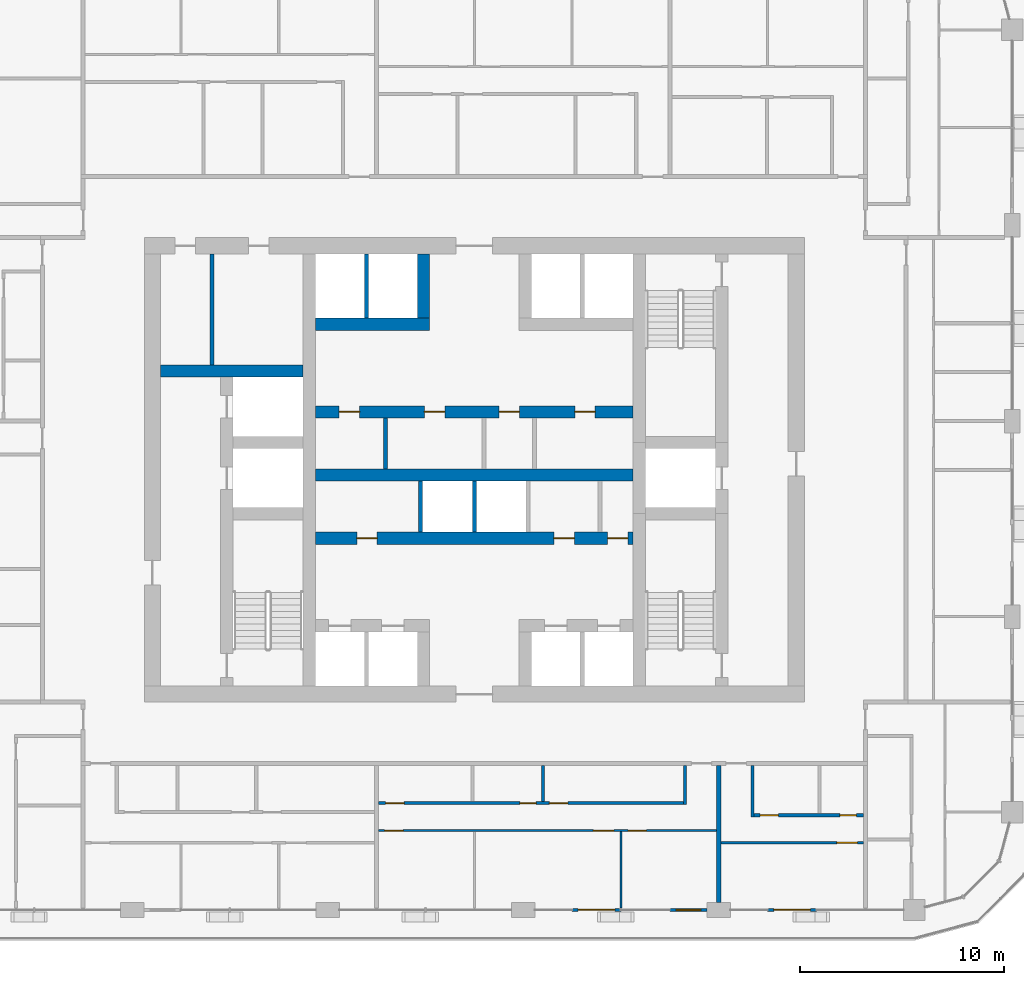
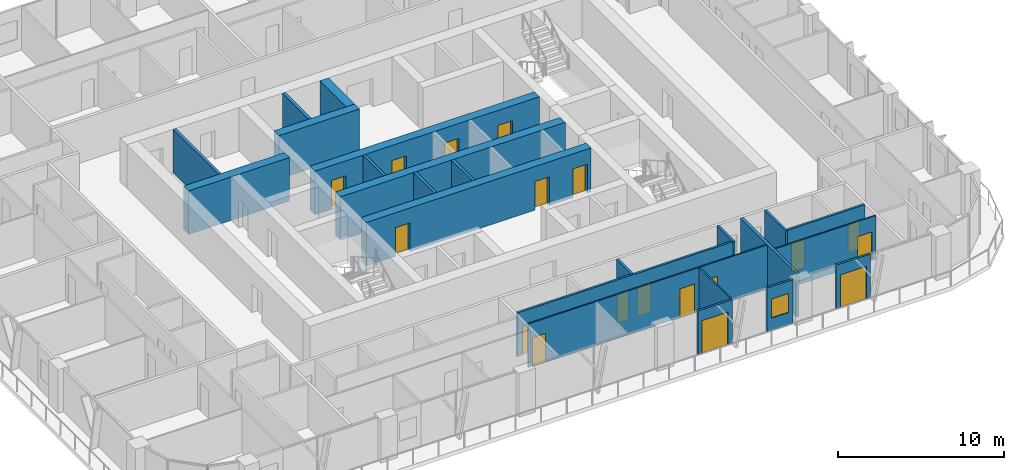
# One storey, part 11 of 22: 23 walls, 18 doors, 1 window, 19 openings.
"""IFC4 building model written with IfcOpenShell, lengths in metres."""

from ifc_helpers import new_model, si_unit, direction, frame, frame_2d, origin, place, context, subcontext, project, spatial, rectangle, extrude, material, layer, layer_set, type_object, element, fill, save


model = new_model("IFC4")

# Units and contexts
model_context = context("Model", 3, precision=1e-05, world=origin(), true_north=direction((0.0, 1.0)))
body_context = subcontext(model_context, "Body", "Model", "MODEL_VIEW")
ifc_project = project(units=[si_unit("LENGTHUNIT", "METRE"), si_unit("AREAUNIT", "SQUARE_METRE"), si_unit("VOLUMEUNIT", "CUBIC_METRE"), si_unit("PLANEANGLEUNIT", "RADIAN"), si_unit("MASSUNIT", "GRAM", prefix="KILO")], contexts=[model_context])

# Site, building, storey
site_placement = place(None, origin())
site = spatial("IfcSite", under=ifc_project, at=site_placement, CompositionType="ELEMENT")
building_placement = place(site_placement, origin())
building = spatial("IfcBuilding", under=site, at=building_placement, Name="Madar Terraces", CompositionType="ELEMENT")
storey_placement = place(building_placement, frame((0.0, 0.0, 126.10009765625)))
storey = spatial("IfcBuildingStorey", under=building, at=storey_placement, Name="L32", CompositionType="ELEMENT", Elevation=126.10009765625)

# Wall
ifc_material_1 = material(Name="Concrete C70/85", Category="concrete")
ifc_layer_1 = layer(ifc_material_1, 0.60009765625)
ifc_layer_set_1 = layer_set([ifc_layer_1], Name="Concrete C70/85 (CIW3 RC wall 600)")
wall_type_1 = type_object("IfcWallType", Name="CIW3 RC wall 600", PredefinedType="SHEAR", material=ifc_layer_set_1)
wall_1_placement = place(storey_placement, frame((15.800048828125, 31.25, 0.0), z_axis=(0.0, 0.0, 1.0), x_axis=(1.0, 0.0, 0.0)))
element("IfcWall", 1, at=wall_1_placement, inside=storey, type_object=wall_type_1, Name="CORE SHAFT WALL", PredefinedType="SHEAR", context=body_context, shape_type="SweptSolid", body=[
    extrude(rectangle(XDim=7.0, YDim=0.60009765625, at=frame_2d((3.5, 0.0))), origin(), (0.0, 0.0, 1.0), 3.199951171875),
])

# Wall, openings, doors
wall_2_placement = place(storey_placement, frame((23.39990234375, 23.050048828125, 0.0), z_axis=(0.0, 0.0, 1.0), x_axis=(1.0, 0.0, 0.0)))
wall_2 = element("IfcWall", 2, at=wall_2_placement, inside=storey, type_object=wall_type_1, Name="CORE SHAFT WALL", PredefinedType="SHEAR", context=body_context, shape_type="SweptSolid", body=[
    extrude(rectangle(XDim=15.60009765625, YDim=0.60009765625, at=frame_2d((7.800048828125, 0.0))), origin(), (0.0, 0.0, 1.0), 3.199951171875),
])
opening_1_placement = place(wall_2_placement, frame((2.033447265625, 0.0, 0.0)))
opening_1 = element("IfcOpeningElement", 3, at=opening_1_placement, cuts=wall_2, Name="Opening KD2", PredefinedType="OPENING", context=body_context, shape_type="SweptSolid", body=[
    extrude(rectangle(XDim=1.0, YDim=2.10009765625, at=frame_2d((0.5, 1.050048828125))), frame((0.0, 0.31005859375, 0.0), z_axis=(0.0, -1.0, 0.0), x_axis=(1.0, 0.0, 0.0)), (0.0, 0.0, 1.0), 0.6201171875),
])
opening_2_placement = place(wall_2_placement, frame((11.7060546875, 0.0, 0.0)))
opening_2 = element("IfcOpeningElement", 4, at=opening_2_placement, cuts=wall_2, Name="Opening KD2", PredefinedType="OPENING", context=body_context, shape_type="SweptSolid", body=[
    extrude(rectangle(XDim=1.0, YDim=2.10009765625, at=frame_2d((0.5, 1.050048828125))), frame((0.0, 0.31005859375, 0.0), z_axis=(0.0, -1.0, 0.0), x_axis=(1.0, 0.0, 0.0)), (0.0, 0.0, 1.0), 0.6201171875),
])
opening_3_placement = place(wall_2_placement, frame((14.33935546875, 0.0, 0.0)))
opening_3 = element("IfcOpeningElement", 5, at=opening_3_placement, cuts=wall_2, Name="Opening KD2", PredefinedType="OPENING", context=body_context, shape_type="SweptSolid", body=[
    extrude(rectangle(XDim=1.0, YDim=2.10009765625, at=frame_2d((0.5, 1.050048828125))), frame((0.0, 0.31005859375, 0.0), z_axis=(0.0, -1.0, 0.0), x_axis=(1.0, 0.0, 0.0)), (0.0, 0.0, 1.0), 0.6201171875),
])
ifc_material_2 = material(Name="Steel door leaf", Category="steel")
door_type_1 = type_object("IfcDoorType", Name="Service room door 1000 x 2100", OperationType="NOTDEFINED", PredefinedType="DOOR", material=ifc_material_2)
door_1_placement = place(opening_1_placement, frame((1.0, 0.0, 0.0), z_axis=(0.0, 0.0, 1.0), x_axis=(-1.0, 0.0, 0.0)))
door_1 = element("IfcDoor", 6, at=door_1_placement, inside=storey, type_object=door_type_1, Name="SERVICE ROOM DOOR", OperationType="SINGLE_SWING_LEFT", OverallHeight=2.10009765625, OverallWidth=1.0, PredefinedType="DOOR", context=body_context, shape_type="SweptSolid", body=[
    extrude(rectangle(XDim=1.0, YDim=2.10009765625, at=frame_2d((0.5, 1.050048828125))), frame((0.0, 0.02490234375, 0.0), z_axis=(0.0, -1.0, 0.0), x_axis=(1.0, 0.0, 0.0)), (0.0, 0.0, 1.0), 0.050048828125),
])
fill(opening_1, door_1)
door_2_placement = place(opening_2_placement, frame((1.0, 0.0, 0.0), z_axis=(0.0, 0.0, 1.0), x_axis=(-1.0, 0.0, 0.0)))
door_2 = element("IfcDoor", 7, at=door_2_placement, inside=storey, type_object=door_type_1, Name="SERVICE ROOM DOOR", OperationType="SINGLE_SWING_RIGHT", OverallHeight=2.10009765625, OverallWidth=1.0, PredefinedType="DOOR", context=body_context, shape_type="SweptSolid", body=[
    extrude(rectangle(XDim=1.0, YDim=2.10009765625, at=frame_2d((0.5, 1.050048828125))), frame((0.0, 0.02490234375, 0.0), z_axis=(0.0, -1.0, 0.0), x_axis=(1.0, 0.0, 0.0)), (0.0, 0.0, 1.0), 0.050048828125),
])
fill(opening_2, door_2)
door_3_placement = place(opening_3_placement, frame((1.0, 0.0, 0.0), z_axis=(0.0, 0.0, 1.0), x_axis=(-1.0, 0.0, 0.0)))
door_3 = element("IfcDoor", 8, at=door_3_placement, inside=storey, type_object=door_type_1, Name="SERVICE ROOM DOOR", OperationType="SINGLE_SWING_LEFT", OverallHeight=2.10009765625, OverallWidth=1.0, PredefinedType="DOOR", context=body_context, shape_type="SweptSolid", body=[
    extrude(rectangle(XDim=1.0, YDim=2.10009765625, at=frame_2d((0.5, 1.050048828125))), frame((0.0, 0.02490234375, 0.0), z_axis=(0.0, -1.0, 0.0), x_axis=(1.0, 0.0, 0.0)), (0.0, 0.0, 1.0), 0.050048828125),
])
fill(opening_3, door_3)

# Wall
wall_3_placement = place(storey_placement, frame((23.39990234375, 26.14990234375, 0.0), z_axis=(0.0, 0.0, 1.0), x_axis=(1.0, 0.0, 0.0)))
element("IfcWall", 9, at=wall_3_placement, inside=storey, type_object=wall_type_1, Name="CORE SHAFT WALL", PredefinedType="SHEAR", context=body_context, shape_type="SweptSolid", body=[
    extrude(rectangle(XDim=15.60009765625, YDim=0.60009765625, at=frame_2d((7.800048828125, 0.0))), origin(), (0.0, 0.0, 1.0), 3.199951171875),
])

# Wall, openings, doors
wall_4_placement = place(storey_placement, frame((23.39990234375, 29.25, 0.0), z_axis=(0.0, 0.0, 1.0), x_axis=(1.0, 0.0, 0.0)))
wall_4 = element("IfcWall", 10, at=wall_4_placement, inside=storey, type_object=wall_type_1, Name="CORE SHAFT WALL", PredefinedType="SHEAR", context=body_context, shape_type="SweptSolid", body=[
    extrude(rectangle(XDim=15.60009765625, YDim=0.60009765625, at=frame_2d((7.800048828125, 0.0))), origin(), (0.0, 0.0, 1.0), 3.199951171875),
])
opening_4_placement = place(wall_4_placement, frame((1.166015625, 0.0, 0.0)))
opening_4 = element("IfcOpeningElement", 11, at=opening_4_placement, cuts=wall_4, Name="Opening KD2", PredefinedType="OPENING", context=body_context, shape_type="SweptSolid", body=[
    extrude(rectangle(XDim=1.0, YDim=2.10009765625, at=frame_2d((0.5, 1.050048828125))), frame((0.0, 0.31005859375, 0.0), z_axis=(0.0, -1.0, 0.0), x_axis=(1.0, 0.0, 0.0)), (0.0, 0.0, 1.0), 0.6201171875),
])
opening_5_placement = place(wall_4_placement, frame((5.35009765625, 0.0, 0.0)))
opening_5 = element("IfcOpeningElement", 12, at=opening_5_placement, cuts=wall_4, Name="Opening KD2", PredefinedType="OPENING", context=body_context, shape_type="SweptSolid", body=[
    extrude(rectangle(XDim=1.0, YDim=2.10009765625, at=frame_2d((0.5, 1.050048828125))), frame((0.0, 0.31005859375, 0.0), z_axis=(0.0, -1.0, 0.0), x_axis=(1.0, 0.0, 0.0)), (0.0, 0.0, 1.0), 0.6201171875),
])
opening_6_placement = place(wall_4_placement, frame((9.01611328125, 0.0, 0.0)))
opening_6 = element("IfcOpeningElement", 13, at=opening_6_placement, cuts=wall_4, Name="Opening KD2", PredefinedType="OPENING", context=body_context, shape_type="SweptSolid", body=[
    extrude(rectangle(XDim=1.0, YDim=2.10009765625, at=frame_2d((0.5, 1.050048828125))), frame((0.0, 0.31005859375, 0.0), z_axis=(0.0, -1.0, 0.0), x_axis=(1.0, 0.0, 0.0)), (0.0, 0.0, 1.0), 0.6201171875),
])
opening_7_placement = place(wall_4_placement, frame((12.73193359375, 0.0, 0.0)))
opening_7 = element("IfcOpeningElement", 14, at=opening_7_placement, cuts=wall_4, Name="Opening KD2", PredefinedType="OPENING", context=body_context, shape_type="SweptSolid", body=[
    extrude(rectangle(XDim=1.0, YDim=2.10009765625, at=frame_2d((0.5, 1.050048828125))), frame((0.0, 0.31005859375, 0.0), z_axis=(0.0, -1.0, 0.0), x_axis=(1.0, 0.0, 0.0)), (0.0, 0.0, 1.0), 0.6201171875),
])
door_4_placement = place(opening_4_placement, origin())
door_4 = element("IfcDoor", 15, at=door_4_placement, inside=storey, type_object=door_type_1, Name="SERVICE ROOM DOOR", OperationType="SINGLE_SWING_RIGHT", OverallHeight=2.10009765625, OverallWidth=1.0, PredefinedType="DOOR", context=body_context, shape_type="SweptSolid", body=[
    extrude(rectangle(XDim=1.0, YDim=2.10009765625, at=frame_2d((0.5, 1.050048828125))), frame((0.0, 0.02490234375, 0.0), z_axis=(0.0, -1.0, 0.0), x_axis=(1.0, 0.0, 0.0)), (0.0, 0.0, 1.0), 0.050048828125),
])
fill(opening_4, door_4)
door_5_placement = place(opening_5_placement, origin())
door_5 = element("IfcDoor", 16, at=door_5_placement, inside=storey, type_object=door_type_1, Name="SERVICE ROOM DOOR", OperationType="SINGLE_SWING_LEFT", OverallHeight=2.10009765625, OverallWidth=1.0, PredefinedType="DOOR", context=body_context, shape_type="SweptSolid", body=[
    extrude(rectangle(XDim=1.0, YDim=2.10009765625, at=frame_2d((0.5, 1.050048828125))), frame((0.0, 0.02490234375, 0.0), z_axis=(0.0, -1.0, 0.0), x_axis=(1.0, 0.0, 0.0)), (0.0, 0.0, 1.0), 0.050048828125),
])
fill(opening_5, door_5)
door_6_placement = place(opening_6_placement, origin())
door_6 = element("IfcDoor", 17, at=door_6_placement, inside=storey, type_object=door_type_1, Name="SERVICE ROOM DOOR", OperationType="SINGLE_SWING_RIGHT", OverallHeight=2.10009765625, OverallWidth=1.0, PredefinedType="DOOR", context=body_context, shape_type="SweptSolid", body=[
    extrude(rectangle(XDim=1.0, YDim=2.10009765625, at=frame_2d((0.5, 1.050048828125))), frame((0.0, 0.02490234375, 0.0), z_axis=(0.0, -1.0, 0.0), x_axis=(1.0, 0.0, 0.0)), (0.0, 0.0, 1.0), 0.050048828125),
])
fill(opening_6, door_6)
door_7_placement = place(opening_7_placement, origin())
door_7 = element("IfcDoor", 18, at=door_7_placement, inside=storey, type_object=door_type_1, Name="SERVICE ROOM DOOR", OperationType="SINGLE_SWING_LEFT", OverallHeight=2.10009765625, OverallWidth=1.0, PredefinedType="DOOR", context=body_context, shape_type="SweptSolid", body=[
    extrude(rectangle(XDim=1.0, YDim=2.10009765625, at=frame_2d((0.5, 1.050048828125))), frame((0.0, 0.02490234375, 0.0), z_axis=(0.0, -1.0, 0.0), x_axis=(1.0, 0.0, 0.0)), (0.0, 0.0, 1.0), 0.050048828125),
])
fill(opening_7, door_7)

# Walls
wall_5_placement = place(storey_placement, frame((23.39990234375, 33.550048828125, 0.0), z_axis=(0.0, 0.0, 1.0), x_axis=(1.0, 0.0, 0.0)))
element("IfcWall", 19, at=wall_5_placement, inside=storey, type_object=wall_type_1, Name="CORE SHAFT WALL", PredefinedType="SHEAR", context=body_context, shape_type="SweptSolid", body=[
    extrude(rectangle(XDim=5.60009765625, YDim=0.60009765625, at=frame_2d((2.800048828125, 0.0))), origin(), (0.0, 0.0, 1.0), 3.199951171875),
])
wall_6_placement = place(storey_placement, frame((28.699951171875, 33.85009765625, 0.0), z_axis=(0.0, 0.0, 1.0), x_axis=(0.0, 1.0, 0.0)))
element("IfcWall", 20, at=wall_6_placement, inside=storey, type_object=wall_type_1, Name="CORE SHAFT WALL", PredefinedType="SHEAR", context=body_context, shape_type="SweptSolid", body=[
    extrude(rectangle(XDim=3.14990234375, YDim=0.60009765625, at=frame_2d((1.574951171875, 0.0))), origin(), (0.0, 0.0, 1.0), 3.199951171875),
])
ifc_material_3 = material(Name="Masonry blockwork", Category="masonry")
ifc_layer_2 = layer(ifc_material_3, 0.199951171875)
ifc_layer_set_2 = layer_set([ifc_layer_2], Name="Core partition 200 blockwork")
wall_type_2 = type_object("IfcWallType", Name="Core partition 200 blockwork", PredefinedType="PARTITIONING", material=ifc_layer_set_2)
wall_7_placement = place(storey_placement, frame((18.320068359375, 31.550048828125, 0.0), z_axis=(0.0, 0.0, 1.0), x_axis=(0.0, 1.0, 0.0)))
element("IfcWall", 21, at=wall_7_placement, inside=storey, type_object=wall_type_2, Name="SERVICE ROOM PARTITION", PredefinedType="PARTITIONING", context=body_context, shape_type="SweptSolid", body=[
    extrude(rectangle(XDim=5.449951171875, YDim=0.199951171875, at=frame_2d((2.72509765625, 0.0))), origin(), (0.0, 0.0, 1.0), 3.199951171875),
])
wall_8_placement = place(storey_placement, frame((26.83203125, 26.449951171875, 0.0), z_axis=(0.0, 0.0, 1.0), x_axis=(0.0, 1.0, 0.0)))
element("IfcWall", 22, at=wall_8_placement, inside=storey, type_object=wall_type_2, Name="SERVICE ROOM PARTITION", PredefinedType="PARTITIONING", context=body_context, shape_type="SweptSolid", body=[
    extrude(rectangle(XDim=2.5, YDim=0.199951171875, at=frame_2d((1.25, 0.0))), origin(), (0.0, 0.0, 1.0), 3.199951171875),
])
ifc_material_4 = material(Name="Concrete C40/50", Category="concrete")
ifc_layer_3 = layer(ifc_material_4, 0.199951171875)
ifc_layer_set_3 = layer_set([ifc_layer_3], Name="Core shaft dividing wall 200 C40/50")
wall_type_3 = type_object("IfcWallType", Name="Core shaft dividing wall 200 C40/50", PredefinedType="SOLIDWALL", material=ifc_layer_set_3)
for number, where, z_axis, x_axis, name in (
    (23, (28.566650390625, 23.35009765625, 0.0), (0.0, 0.0, 1.0), (0.0, 1.0, 0.0), "SHAFT DIVIDING WALL"),
    (24, (31.199951171875, 23.35009765625, 0.0), (0.0, 0.0, 1.0), (0.0, 1.0, 0.0), "SHAFT DIVIDING WALL"),
):
    element("IfcWall", number, at=place(storey_placement, frame(where, z_axis=z_axis, x_axis=x_axis)), inside=storey, type_object=wall_type_3, Name=name, PredefinedType="SOLIDWALL", context=body_context, shape_type="SweptSolid", body=[
        extrude(rectangle(XDim=2.5, YDim=0.199951171875, at=frame_2d((1.25, 0.0))), origin(), (0.0, 0.0, 1.0), 3.199951171875),
    ])
wall_9_placement = place(storey_placement, frame((25.89990234375, 33.85009765625, 0.0), z_axis=(0.0, 0.0, 1.0), x_axis=(0.0, 1.0, 0.0)))
element("IfcWall", 25, at=wall_9_placement, inside=storey, type_object=wall_type_3, Name="SHAFT DIVIDING WALL", PredefinedType="SOLIDWALL", context=body_context, shape_type="SweptSolid", body=[
    extrude(rectangle(XDim=3.14990234375, YDim=0.199951171875, at=frame_2d((1.574951171875, 0.0))), origin(), (0.0, 0.0, 1.0), 3.199951171875),
])

# Wall, opening, door
ifc_material_5 = material(Name="Aluminium composite panel, black, over insulated backing", Category="aluminium")
ifc_layer_4 = layer(ifc_material_5, 0.14990234375)
ifc_layer_set_4 = layer_set([ifc_layer_4], Name="Facade bay panel 150")
wall_type_4 = type_object("IfcWallType", Name="Facade bay panel 150", PredefinedType="SOLIDWALL", material=ifc_layer_set_4)
wall_10_placement = place(storey_placement, frame((36.0, 4.800048828125, 0.0), z_axis=(0.0, 0.0, 1.0), x_axis=(1.0, 0.0, 0.0)))
wall_10 = element("IfcWall", 26, at=wall_10_placement, inside=storey, type_object=wall_type_4, Name="Facade bay panel", PredefinedType="SOLIDWALL", context=body_context, shape_type="SweptSolid", body=[
    extrude(rectangle(XDim=2.39990234375, YDim=0.14990234375, at=frame_2d((1.199951171875, 0.0))), origin(), (0.0, 0.0, 1.0), 3.199951171875),
])
opening_8_placement = place(wall_10_placement, frame((0.300048828125, 0.0, 0.0)))
opening_8 = element("IfcOpeningElement", 27, at=opening_8_placement, cuts=wall_10, Name="Opening ED1", PredefinedType="OPENING", context=body_context, shape_type="SweptSolid", body=[
    extrude(rectangle(XDim=1.800048828125, YDim=2.39990234375, at=frame_2d((0.89990234375, 1.199951171875))), frame((0.0, 0.0849609375, 0.0), z_axis=(0.0, -1.0, 0.0), x_axis=(1.0, 0.0, 0.0)), (0.0, 0.0, 1.0), 0.169921875),
])
ifc_material_6 = material(Name="Glass, clear, with black aluminium frame", Category="aluminium")
door_type_2 = type_object("IfcDoorType", Name="Balcony and terrace sliding door 1800 x 2400", OperationType="SLIDING_TO_LEFT", PredefinedType="DOOR", material=ifc_material_6)
door_8_placement = place(opening_8_placement, origin())
door_8 = element("IfcDoor", 28, at=door_8_placement, inside=storey, type_object=door_type_2, Name="Balcony door", OperationType="SLIDING_TO_LEFT", OverallHeight=2.39990234375, OverallWidth=1.800048828125, PredefinedType="DOOR", context=body_context, shape_type="SweptSolid", body=[
    extrude(rectangle(XDim=1.800048828125, YDim=2.39990234375, at=frame_2d((0.89990234375, 1.199951171875))), frame((0.0, 0.02490234375, 0.0), z_axis=(0.0, -1.0, 0.0), x_axis=(1.0, 0.0, 0.0)), (0.0, 0.0, 1.0), 0.050048828125),
])
fill(opening_8, door_8)

# Wall, opening, window
wall_11_placement = place(storey_placement, frame((40.800048828125, 4.800048828125, 0.0), z_axis=(0.0, 0.0, 1.0), x_axis=(1.0, 0.0, 0.0)))
wall_11 = element("IfcWall", 29, at=wall_11_placement, inside=storey, type_object=wall_type_4, Name="Facade bay panel", PredefinedType="SOLIDWALL", context=body_context, shape_type="SweptSolid", body=[
    extrude(rectangle(XDim=1.824951171875, YDim=0.14990234375, at=frame_2d((0.91259765625, 0.0))), origin(), (0.0, 0.0, 1.0), 3.199951171875),
])
opening_9_placement = place(wall_11_placement, frame((0.3125, 0.0, 0.89990234375)))
opening_9 = element("IfcOpeningElement", 30, at=opening_9_placement, cuts=wall_11, Name="Opening W1", PredefinedType="OPENING", context=body_context, shape_type="SweptSolid", body=[
    extrude(rectangle(XDim=1.199951171875, YDim=1.39990234375, at=frame_2d((0.60009765625, 0.699951171875))), frame((0.0, 0.0849609375, 0.0), z_axis=(0.0, -1.0, 0.0), x_axis=(1.0, 0.0, 0.0)), (0.0, 0.0, 1.0), 0.169921875),
])
ifc_material_7 = material(Name="Glass, clear, with black aluminium frame", Category="aluminium")
window_type = type_object("IfcWindowType", Name="Vent window 1200 x 1400", PartitioningType="SINGLE_PANEL", PredefinedType="WINDOW", material=ifc_material_7)
window_placement = place(opening_9_placement, origin())
window = element("IfcWindow", 31, at=window_placement, inside=storey, type_object=window_type, Name="Operable vent window", OverallHeight=1.39990234375, OverallWidth=1.199951171875, PartitioningType="SINGLE_PANEL", PredefinedType="WINDOW", context=body_context, shape_type="SweptSolid", body=[
    extrude(rectangle(XDim=1.199951171875, YDim=1.39990234375, at=frame_2d((0.60009765625, 0.699951171875))), frame((0.0, 0.030029296875, 0.0), z_axis=(0.0, -1.0, 0.0), x_axis=(1.0, 0.0, 0.0)), (0.0, 0.0, 1.0), 0.06005859375),
])
fill(opening_9, window)

# Wall, opening, door
wall_12_placement = place(storey_placement, frame((45.60009765625, 4.800048828125, 0.0), z_axis=(0.0, 0.0, 1.0), x_axis=(1.0, 0.0, 0.0)))
wall_12 = element("IfcWall", 32, at=wall_12_placement, inside=storey, type_object=wall_type_4, Name="Facade bay panel", PredefinedType="SOLIDWALL", context=body_context, shape_type="SweptSolid", body=[
    extrude(rectangle(XDim=2.39990234375, YDim=0.14990234375, at=frame_2d((1.199951171875, 0.0))), origin(), (0.0, 0.0, 1.0), 3.199951171875),
])
opening_10_placement = place(wall_12_placement, frame((0.300048828125, 0.0, 0.0)))
opening_10 = element("IfcOpeningElement", 33, at=opening_10_placement, cuts=wall_12, Name="Opening ED1", PredefinedType="OPENING", context=body_context, shape_type="SweptSolid", body=[
    extrude(rectangle(XDim=1.800048828125, YDim=2.39990234375, at=frame_2d((0.89990234375, 1.199951171875))), frame((0.0, 0.0849609375, 0.0), z_axis=(0.0, -1.0, 0.0), x_axis=(1.0, 0.0, 0.0)), (0.0, 0.0, 1.0), 0.169921875),
])
door_9_placement = place(opening_10_placement, origin())
door_9 = element("IfcDoor", 34, at=door_9_placement, inside=storey, type_object=door_type_2, Name="Balcony door", OperationType="SLIDING_TO_RIGHT", OverallHeight=2.39990234375, OverallWidth=1.800048828125, PredefinedType="DOOR", context=body_context, shape_type="SweptSolid", body=[
    extrude(rectangle(XDim=1.800048828125, YDim=2.39990234375, at=frame_2d((0.89990234375, 1.199951171875))), frame((0.0, 0.02490234375, 0.0), z_axis=(0.0, -1.0, 0.0), x_axis=(1.0, 0.0, 0.0)), (0.0, 0.0, 1.0), 0.050048828125),
])
fill(opening_10, door_9)

# Wall
ifc_material_8 = material(Name="Gypsum board on steel studs", Category="steel")
ifc_layer_5 = layer(ifc_material_8, 0.10009765625)
ifc_layer_set_5 = layer_set([ifc_layer_5], Name="Flat partition 100")
wall_type_5 = type_object("IfcWallType", Name="Flat partition 100", PredefinedType="PARTITIONING", material=ifc_layer_set_5)
wall_13_placement = place(storey_placement, frame((38.39990234375, 8.64990234375, 0.0), z_axis=(0.0, 0.0, 1.0), x_axis=(0.0, -1.0, 0.0)))
element("IfcWall", 35, at=wall_13_placement, inside=storey, type_object=wall_type_5, Name="Flat partition 100", PredefinedType="PARTITIONING", context=body_context, shape_type="SweptSolid", body=[
    extrude(rectangle(XDim=3.75, YDim=0.10009765625, at=frame_2d((1.875, 0.0))), origin(), (0.0, 0.0, 1.0), 3.199951171875),
])

# Wall, openings, doors
wall_14_placement = place(storey_placement, frame((43.10009765625, 8.699951171875, 0.0), z_axis=(0.0, 0.0, 1.0), x_axis=(-1.0, 0.0, 0.0)))
wall_14 = element("IfcWall", 36, at=wall_14_placement, inside=storey, type_object=wall_type_5, Name="Flat partition 100", PredefinedType="PARTITIONING", context=body_context, shape_type="SweptSolid", body=[
    extrude(rectangle(XDim=16.60009765625, YDim=0.10009765625, at=frame_2d((8.300048828125, 0.0))), origin(), (0.0, 0.0, 1.0), 3.199951171875),
])
opening_11_placement = place(wall_14_placement, frame((3.449951171875, 0.0, 0.0)))
opening_11 = element("IfcOpeningElement", 37, at=opening_11_placement, cuts=wall_14, Name="Opening D2", PredefinedType="OPENING", context=body_context, shape_type="SweptSolid", body=[
    extrude(rectangle(XDim=0.89990234375, YDim=2.10009765625, at=frame_2d((0.449951171875, 1.050048828125))), frame((0.0, 0.06005859375, 0.0), z_axis=(0.0, -1.0, 0.0), x_axis=(1.0, 0.0, 0.0)), (0.0, 0.0, 1.0), 0.1201171875),
])
opening_12_placement = place(wall_14_placement, frame((5.050048828125, 0.0, 0.0)))
opening_12 = element("IfcOpeningElement", 38, at=opening_12_placement, cuts=wall_14, Name="Opening D3", PredefinedType="OPENING", context=body_context, shape_type="SweptSolid", body=[
    extrude(rectangle(XDim=1.0, YDim=2.10009765625, at=frame_2d((0.5, 1.050048828125))), frame((0.0, 0.06005859375, 0.0), z_axis=(0.0, -1.0, 0.0), x_axis=(1.0, 0.0, 0.0)), (0.0, 0.0, 1.0), 0.1201171875),
])
opening_13_placement = place(wall_14_placement, frame((15.39990234375, 0.0, 0.0)))
opening_13 = element("IfcOpeningElement", 39, at=opening_13_placement, cuts=wall_14, Name="Opening D2", PredefinedType="OPENING", context=body_context, shape_type="SweptSolid", body=[
    extrude(rectangle(XDim=0.89990234375, YDim=2.10009765625, at=frame_2d((0.449951171875, 1.050048828125))), frame((0.0, 0.06005859375, 0.0), z_axis=(0.0, -1.0, 0.0), x_axis=(1.0, 0.0, 0.0)), (0.0, 0.0, 1.0), 0.1201171875),
])
ifc_material_9 = material(Name="Timber door leaf", Category="wood")
door_type_3 = type_object("IfcDoorType", Name="Flat living room door 1000", OperationType="NOTDEFINED", PredefinedType="DOOR", material=ifc_material_9)
door_10_placement = place(opening_12_placement, origin())
door_10 = element("IfcDoor", 40, at=door_10_placement, inside=storey, type_object=door_type_3, Name="Flat living room door 1000", OperationType="SINGLE_SWING_LEFT", OverallHeight=2.10009765625, OverallWidth=1.0, PredefinedType="DOOR", context=body_context, shape_type="SweptSolid", body=[
    extrude(rectangle(XDim=1.0, YDim=2.10009765625, at=frame_2d((0.5, 1.050048828125))), frame((0.0, 0.02490234375, 0.0), z_axis=(0.0, -1.0, 0.0), x_axis=(1.0, 0.0, 0.0)), (0.0, 0.0, 1.0), 0.050048828125),
])
fill(opening_12, door_10)
ifc_material_10 = material(Name="Timber door leaf", Category="wood")
door_type_4 = type_object("IfcDoorType", Name="Flat room door 900", OperationType="NOTDEFINED", PredefinedType="DOOR", material=ifc_material_10)
door_11_placement = place(opening_11_placement, origin())
door_11 = element("IfcDoor", 41, at=door_11_placement, inside=storey, type_object=door_type_4, Name="Flat room door 900", OperationType="SINGLE_SWING_RIGHT", OverallHeight=2.10009765625, OverallWidth=0.89990234375, PredefinedType="DOOR", context=body_context, shape_type="SweptSolid", body=[
    extrude(rectangle(XDim=0.89990234375, YDim=2.10009765625, at=frame_2d((0.449951171875, 1.050048828125))), frame((0.0, 0.02490234375, 0.0), z_axis=(0.0, -1.0, 0.0), x_axis=(1.0, 0.0, 0.0)), (0.0, 0.0, 1.0), 0.050048828125),
])
fill(opening_11, door_11)
door_12_placement = place(opening_13_placement, origin())
door_12 = element("IfcDoor", 42, at=door_12_placement, inside=storey, type_object=door_type_4, Name="Flat room door 900", OperationType="SINGLE_SWING_RIGHT", OverallHeight=2.10009765625, OverallWidth=0.89990234375, PredefinedType="DOOR", context=body_context, shape_type="SweptSolid", body=[
    extrude(rectangle(XDim=0.89990234375, YDim=2.10009765625, at=frame_2d((0.449951171875, 1.050048828125))), frame((0.0, 0.02490234375, 0.0), z_axis=(0.0, -1.0, 0.0), x_axis=(1.0, 0.0, 0.0)), (0.0, 0.0, 1.0), 0.050048828125),
])
fill(opening_13, door_12)

# Wall, opening, door
wall_15_placement = place(storey_placement, frame((50.300048828125, 8.10009765625, 0.0), z_axis=(0.0, 0.0, 1.0), x_axis=(-1.0, 0.0, 0.0)))
wall_15 = element("IfcWall", 43, at=wall_15_placement, inside=storey, type_object=wall_type_5, Name="Flat partition 100", PredefinedType="PARTITIONING", context=body_context, shape_type="SweptSolid", body=[
    extrude(rectangle(XDim=7.0, YDim=0.10009765625, at=frame_2d((3.5, 0.0))), origin(), (0.0, 0.0, 1.0), 3.199951171875),
])
opening_14_placement = place(wall_15_placement, frame((0.300048828125, 0.0, 0.0)))
opening_14 = element("IfcOpeningElement", 44, at=opening_14_placement, cuts=wall_15, Name="Opening D3", PredefinedType="OPENING", context=body_context, shape_type="SweptSolid", body=[
    extrude(rectangle(XDim=1.0, YDim=2.10009765625, at=frame_2d((0.5, 1.050048828125))), frame((0.0, 0.06005859375, 0.0), z_axis=(0.0, -1.0, 0.0), x_axis=(1.0, 0.0, 0.0)), (0.0, 0.0, 1.0), 0.1201171875),
])
door_13_placement = place(opening_14_placement, origin())
door_13 = element("IfcDoor", 45, at=door_13_placement, inside=storey, type_object=door_type_3, Name="Flat living room door 1000", OperationType="SINGLE_SWING_LEFT", OverallHeight=2.10009765625, OverallWidth=1.0, PredefinedType="DOOR", context=body_context, shape_type="SweptSolid", body=[
    extrude(rectangle(XDim=1.0, YDim=2.10009765625, at=frame_2d((0.5, 1.050048828125))), frame((0.0, 0.02490234375, 0.0), z_axis=(0.0, -1.0, 0.0), x_axis=(1.0, 0.0, 0.0)), (0.0, 0.0, 1.0), 0.050048828125),
])
fill(opening_14, door_13)

# Walls
ifc_material_11 = material(Name="Lightweight blockwork", Category="masonry")
ifc_layer_6 = layer(ifc_material_11, 0.199951171875)
ifc_layer_set_6 = layer_set([ifc_layer_6], Name="Flat party and entrance wall 200")
wall_type_6 = type_object("IfcWallType", Name="Flat party and entrance wall 200", PredefinedType="PARTITIONING", material=ifc_layer_set_6)
wall_16_placement = place(storey_placement, frame((43.199951171875, 11.89990234375, 0.0), z_axis=(0.0, 0.0, 1.0), x_axis=(0.0, -1.0, 0.0)))
element("IfcWall", 46, at=wall_16_placement, inside=storey, type_object=wall_type_6, Name="Flat party and entrance wall 200", PredefinedType="PARTITIONING", context=body_context, shape_type="SweptSolid", body=[
    extrude(rectangle(XDim=6.724853515625, YDim=0.199951171875, at=frame_2d((3.3623046875, 0.0))), origin(), (0.0, 0.0, 1.0), 3.199951171875),
])
ifc_material_12 = material(Name="Lightweight blockwork", Category="masonry")
ifc_layer_7 = layer(ifc_material_12, 0.14990234375)
ifc_layer_set_7 = layer_set([ifc_layer_7], Name="Flat wet-room partition 150")
wall_type_7 = type_object("IfcWallType", Name="Flat wet-room partition 150", PredefinedType="PARTITIONING", material=ifc_layer_set_7)
wall_17_placement = place(storey_placement, frame((34.5634765625, 11.89990234375, 0.0), z_axis=(0.0, 0.0, 1.0), x_axis=(0.0, -1.0, 0.0)))
element("IfcWall", 47, at=wall_17_placement, inside=storey, type_object=wall_type_7, Name="Flat wet-room partition 150", PredefinedType="PARTITIONING", context=body_context, shape_type="SweptSolid", body=[
    extrude(rectangle(XDim=1.77490234375, YDim=0.14990234375, at=frame_2d((0.887451171875, 0.0))), origin(), (0.0, 0.0, 1.0), 3.199951171875),
])
wall_18_placement = place(storey_placement, frame((41.550048828125, 11.89990234375, 0.0), z_axis=(0.0, 0.0, 1.0), x_axis=(0.0, -1.0, 0.0)))
element("IfcWall", 48, at=wall_18_placement, inside=storey, type_object=wall_type_7, Name="Flat wet-room partition 150", PredefinedType="PARTITIONING", context=body_context, shape_type="SweptSolid", body=[
    extrude(rectangle(XDim=1.9248046875, YDim=0.14990234375, at=frame_2d((0.96240234375, 0.0))), origin(), (0.0, 0.0, 1.0), 3.199951171875),
])

# Wall, openings, doors
wall_19_placement = place(storey_placement, frame((26.5, 10.050048828125, 0.0), z_axis=(0.0, 0.0, 1.0), x_axis=(1.0, 0.0, 0.0)))
wall_19 = element("IfcWall", 49, at=wall_19_placement, inside=storey, type_object=wall_type_7, Name="Flat wet-room partition 150", PredefinedType="PARTITIONING", context=body_context, shape_type="SweptSolid", body=[
    extrude(rectangle(XDim=14.97509765625, YDim=0.14990234375, at=frame_2d((7.487548828125, 0.0))), origin(), (0.0, 0.0, 1.0), 3.199951171875),
])
opening_15_placement = place(wall_19_placement, frame((8.388427734375, 0.0, 0.0)))
opening_15 = element("IfcOpeningElement", 50, at=opening_15_placement, cuts=wall_19, Name="Opening D2", PredefinedType="OPENING", context=body_context, shape_type="SweptSolid", body=[
    extrude(rectangle(XDim=0.89990234375, YDim=2.10009765625, at=frame_2d((0.449951171875, 1.050048828125))), frame((0.0, 0.0849609375, 0.0), z_axis=(0.0, -1.0, 0.0), x_axis=(1.0, 0.0, 0.0)), (0.0, 0.0, 1.0), 0.169921875),
])
opening_16_placement = place(wall_19_placement, frame((6.9384765625, 0.0, 0.0)))
opening_16 = element("IfcOpeningElement", 51, at=opening_16_placement, cuts=wall_19, Name="Opening D4", PredefinedType="OPENING", context=body_context, shape_type="SweptSolid", body=[
    extrude(rectangle(XDim=0.800048828125, YDim=2.10009765625, at=frame_2d((0.39990234375, 1.050048828125))), frame((0.0, 0.0849609375, 0.0), z_axis=(0.0, -1.0, 0.0), x_axis=(1.0, 0.0, 0.0)), (0.0, 0.0, 1.0), 0.169921875),
])
opening_17_placement = place(wall_19_placement, frame((0.35009765625, 0.0, 0.0)))
opening_17 = element("IfcOpeningElement", 52, at=opening_17_placement, cuts=wall_19, Name="Opening D5", PredefinedType="OPENING", context=body_context, shape_type="SweptSolid", body=[
    extrude(rectangle(XDim=0.89990234375, YDim=2.10009765625, at=frame_2d((0.449951171875, 1.050048828125))), frame((0.0, 0.0849609375, 0.0), z_axis=(0.0, -1.0, 0.0), x_axis=(1.0, 0.0, 0.0)), (0.0, 0.0, 1.0), 0.169921875),
])
ifc_material_13 = material(Name="Timber door leaf", Category="wood")
door_type_5 = type_object("IfcDoorType", Name="Flat accessible bathroom door 900", OperationType="NOTDEFINED", PredefinedType="DOOR", material=ifc_material_13)
door_14_placement = place(opening_17_placement, origin())
door_14 = element("IfcDoor", 53, at=door_14_placement, inside=storey, type_object=door_type_5, Name="Flat accessible bathroom door 900", OperationType="SINGLE_SWING_LEFT", OverallHeight=2.10009765625, OverallWidth=0.89990234375, PredefinedType="DOOR", context=body_context, shape_type="SweptSolid", body=[
    extrude(rectangle(XDim=0.89990234375, YDim=2.10009765625, at=frame_2d((0.449951171875, 1.050048828125))), frame((0.0, 0.02490234375, 0.0), z_axis=(0.0, -1.0, 0.0), x_axis=(1.0, 0.0, 0.0)), (0.0, 0.0, 1.0), 0.050048828125),
])
fill(opening_17, door_14)
ifc_material_14 = material(Name="Timber door leaf", Category="wood")
door_type_6 = type_object("IfcDoorType", Name="Flat bathroom door 800", OperationType="NOTDEFINED", PredefinedType="DOOR", material=ifc_material_14)
door_15_placement = place(opening_16_placement, origin())
door_15 = element("IfcDoor", 54, at=door_15_placement, inside=storey, type_object=door_type_6, Name="Flat bathroom door 800", OperationType="SINGLE_SWING_RIGHT", OverallHeight=2.10009765625, OverallWidth=0.800048828125, PredefinedType="DOOR", context=body_context, shape_type="SweptSolid", body=[
    extrude(rectangle(XDim=0.800048828125, YDim=2.10009765625, at=frame_2d((0.39990234375, 1.050048828125))), frame((0.0, 0.02490234375, 0.0), z_axis=(0.0, -1.0, 0.0), x_axis=(1.0, 0.0, 0.0)), (0.0, 0.0, 1.0), 0.050048828125),
])
fill(opening_16, door_15)
door_16_placement = place(opening_15_placement, origin())
door_16 = element("IfcDoor", 55, at=door_16_placement, inside=storey, type_object=door_type_4, Name="Flat room door 900", OperationType="SINGLE_SWING_LEFT", OverallHeight=2.10009765625, OverallWidth=0.89990234375, PredefinedType="DOOR", context=body_context, shape_type="SweptSolid", body=[
    extrude(rectangle(XDim=0.89990234375, YDim=2.10009765625, at=frame_2d((0.449951171875, 1.050048828125))), frame((0.0, 0.02490234375, 0.0), z_axis=(0.0, -1.0, 0.0), x_axis=(1.0, 0.0, 0.0)), (0.0, 0.0, 1.0), 0.050048828125),
])
fill(opening_15, door_16)

# Wall
wall_20_placement = place(storey_placement, frame((44.85009765625, 11.89990234375, 0.0), z_axis=(0.0, 0.0, 1.0), x_axis=(0.0, -1.0, 0.0)))
element("IfcWall", 56, at=wall_20_placement, inside=storey, type_object=wall_type_7, Name="Flat wet-room partition 150", PredefinedType="PARTITIONING", context=body_context, shape_type="SweptSolid", body=[
    extrude(rectangle(XDim=2.52490234375, YDim=0.14990234375, at=frame_2d((1.262451171875, 0.0))), origin(), (0.0, 0.0, 1.0), 3.199951171875),
])

# Wall, openings, doors
wall_21_placement = place(storey_placement, frame((44.925048828125, 9.449951171875, 0.0), z_axis=(0.0, 0.0, 1.0), x_axis=(1.0, 0.0, 0.0)))
wall_21 = element("IfcWall", 57, at=wall_21_placement, inside=storey, type_object=wall_type_7, Name="Flat wet-room partition 150", PredefinedType="PARTITIONING", context=body_context, shape_type="SweptSolid", body=[
    extrude(rectangle(XDim=5.375, YDim=0.14990234375, at=frame_2d((2.6875, 0.0))), origin(), (0.0, 0.0, 1.0), 3.199951171875),
])
opening_18_placement = place(wall_21_placement, frame((0.300048828125, 0.0, 0.0)))
opening_18 = element("IfcOpeningElement", 58, at=opening_18_placement, cuts=wall_21, Name="Opening D2", PredefinedType="OPENING", context=body_context, shape_type="SweptSolid", body=[
    extrude(rectangle(XDim=0.89990234375, YDim=2.10009765625, at=frame_2d((0.449951171875, 1.050048828125))), frame((0.0, 0.0849609375, 0.0), z_axis=(0.0, -1.0, 0.0), x_axis=(1.0, 0.0, 0.0)), (0.0, 0.0, 1.0), 0.169921875),
])
opening_19_placement = place(wall_21_placement, frame((4.22509765625, 0.0, 0.0)))
opening_19 = element("IfcOpeningElement", 59, at=opening_19_placement, cuts=wall_21, Name="Opening D4", PredefinedType="OPENING", context=body_context, shape_type="SweptSolid", body=[
    extrude(rectangle(XDim=0.800048828125, YDim=2.10009765625, at=frame_2d((0.39990234375, 1.050048828125))), frame((0.0, 0.0849609375, 0.0), z_axis=(0.0, -1.0, 0.0), x_axis=(1.0, 0.0, 0.0)), (0.0, 0.0, 1.0), 0.169921875),
])
door_17_placement = place(opening_19_placement, origin())
door_17 = element("IfcDoor", 60, at=door_17_placement, inside=storey, type_object=door_type_6, Name="Flat bathroom door 800", OperationType="SINGLE_SWING_RIGHT", OverallHeight=2.10009765625, OverallWidth=0.800048828125, PredefinedType="DOOR", context=body_context, shape_type="SweptSolid", body=[
    extrude(rectangle(XDim=0.800048828125, YDim=2.10009765625, at=frame_2d((0.39990234375, 1.050048828125))), frame((0.0, 0.02490234375, 0.0), z_axis=(0.0, -1.0, 0.0), x_axis=(1.0, 0.0, 0.0)), (0.0, 0.0, 1.0), 0.050048828125),
])
fill(opening_19, door_17)
door_18_placement = place(opening_18_placement, origin())
door_18 = element("IfcDoor", 61, at=door_18_placement, inside=storey, type_object=door_type_4, Name="Flat room door 900", OperationType="SINGLE_SWING_LEFT", OverallHeight=2.10009765625, OverallWidth=0.89990234375, PredefinedType="DOOR", context=body_context, shape_type="SweptSolid", body=[
    extrude(rectangle(XDim=0.89990234375, YDim=2.10009765625, at=frame_2d((0.449951171875, 1.050048828125))), frame((0.0, 0.02490234375, 0.0), z_axis=(0.0, -1.0, 0.0), x_axis=(1.0, 0.0, 0.0)), (0.0, 0.0, 1.0), 0.050048828125),
])
fill(opening_18, door_18)

save(model, "model.ifc")
